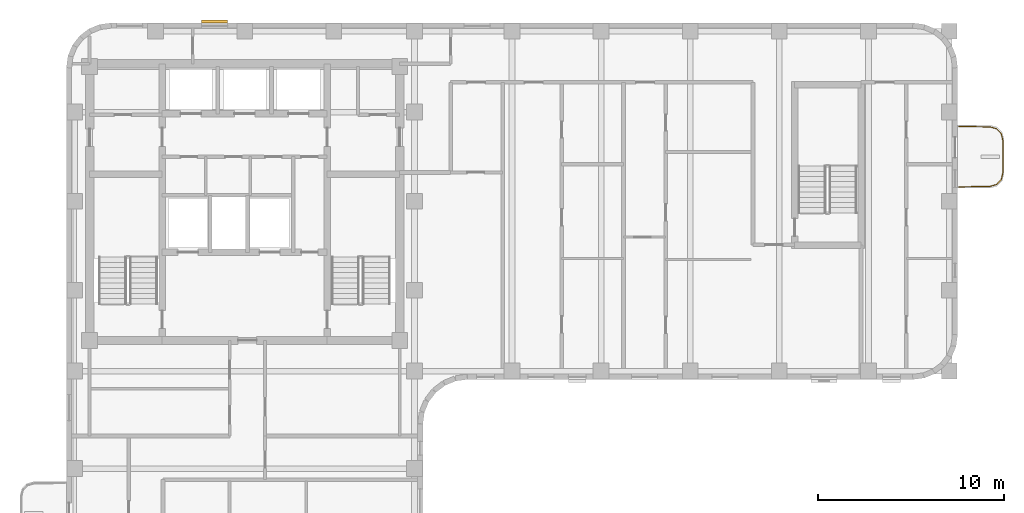
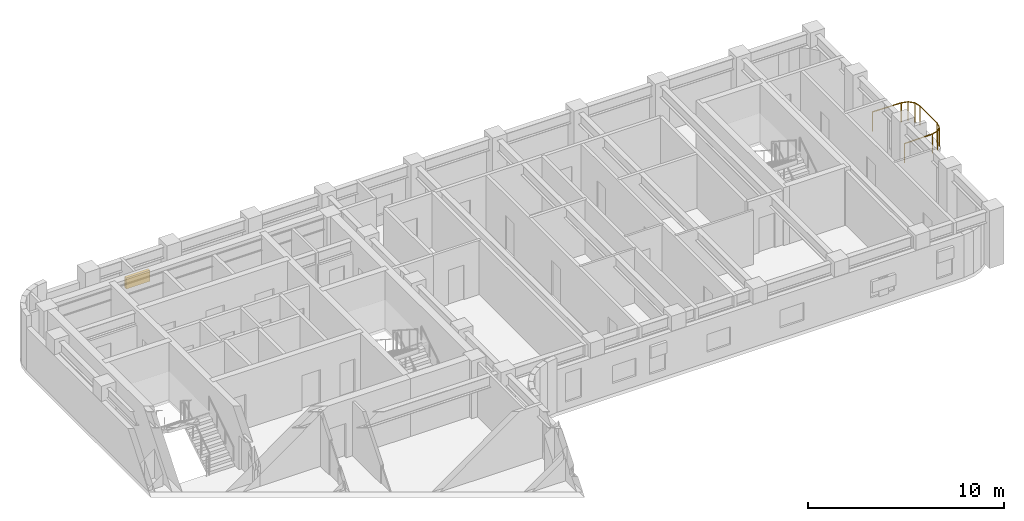
# One storey, part 10 of 10: 1 railing, 1 shading device.
"""IFC4 building model written with IfcOpenShell, lengths in metres."""

from ifc_helpers import new_model, si_unit, direction, frame, origin, origin_2d, place, context, subcontext, project, spatial, rectangle, extrude, material, type_object, element, save


model = new_model("IFC4")

# Units and contexts
model_context = context("Model", 3, precision=1e-05, world=origin(), true_north=direction((0.0, 1.0)))
body_context = subcontext(model_context, "Body", "Model", "MODEL_VIEW")
ifc_project = project(units=[si_unit("LENGTHUNIT", "METRE"), si_unit("AREAUNIT", "SQUARE_METRE"), si_unit("VOLUMEUNIT", "CUBIC_METRE"), si_unit("PLANEANGLEUNIT", "RADIAN"), si_unit("MASSUNIT", "GRAM", prefix="KILO")], contexts=[model_context])

# Site, building, storey
site_placement = place(None, origin())
site = spatial("IfcSite", under=ifc_project, at=site_placement, CompositionType="ELEMENT")
building_placement = place(site_placement, origin())
building = spatial("IfcBuilding", under=site, at=building_placement, Name="Orvandelia Arch Residences", CompositionType="ELEMENT")
storey_placement = place(building_placement, frame((0.0, 0.0, 207.39990234375)))
storey = spatial("IfcBuildingStorey", under=building, at=storey_placement, Name="L54", CompositionType="ELEMENT", Elevation=207.39990234375)

# Railing
ifc_material_1 = material(Name="Marine-Grade Stainless Steel 316", Category="steel")
railing_type = type_object("IfcRailingType", Name="GRD-BAL-1200", PredefinedType="BALUSTRADE", material=ifc_material_1)
railing_placement = place(storey_placement, frame((52.871826171875, 39.169677734375, 0.0)))
element("IfcRailing", 1, at=railing_placement, inside=storey, type_object=railing_type, Name="Safety Balustrade Guard GRD-L54-BAL-L54-E1-1", PredefinedType="BALUSTRADE", context=body_context, shape_type="SweptSolid", body=[
    extrude(rectangle(XDim=0.048095703125, YDim=0.048095703125, at=origin_2d()), frame((0.0, 0.0, 1.19580078125), z_axis=(0.999837384468, 0.018033430643, 0.0), x_axis=(-0.018033430643, 0.999837384468, 0.0)), (0.0, 0.0, 1.0), 1.6787109375),
    extrude(rectangle(XDim=0.048095703125, YDim=0.048095703125, at=origin_2d()), frame((1.678466796875, 0.0302734375, 1.19580078125), z_axis=(0.96348920644, 0.267747173792, 0.0), x_axis=(-0.267747173792, 0.96348920644, 0.0)), (0.0, 0.0, 1.0), 0.36572265625),
    extrude(rectangle(XDim=0.048095703125, YDim=0.048095703125, at=origin_2d()), frame((2.03076171875, 0.128173828125, 1.19580078125), z_axis=(0.687947031175, 0.725760898848, 0.0), x_axis=(-0.725760898848, 0.687947031175, 0.0)), (0.0, 0.0, 1.0), 0.367919921875),
    extrude(rectangle(XDim=0.048095703125, YDim=0.048095703125, at=origin_2d()), frame((2.283935546875, 0.395263671875, 1.19580078125), z_axis=(0.221225034864, 0.975222786828, 0.0), x_axis=(-0.975222786828, 0.221225034864, 0.0)), (0.0, 0.0, 1.0), 0.373046875),
    extrude(rectangle(XDim=0.048095703125, YDim=0.048095703125, at=origin_2d()), frame((2.366455078125, 0.759033203125, 1.19580078125), z_axis=(0.0, 1.0, 0.0), x_axis=(-1.0, 0.0, 0.0)), (0.0, 0.0, 1.0), 1.74267578125),
    extrude(rectangle(XDim=0.048095703125, YDim=0.048095703125, at=origin_2d()), frame((2.366455078125, 2.501708984375, 1.19580078125), z_axis=(-0.221225034864, 0.975222786828, 0.0), x_axis=(-0.975222786828, -0.221225034864, 0.0)), (0.0, 0.0, 1.0), 0.373046875),
    extrude(rectangle(XDim=0.048095703125, YDim=0.048095703125, at=origin_2d()), frame((2.283935546875, 2.865478515625, 1.19580078125), z_axis=(-0.688278345278, 0.725446703364, 0.0), x_axis=(-0.725446703364, -0.688278345278, 0.0)), (0.0, 0.0, 1.0), 0.367919921875),
    extrude(rectangle(XDim=0.048095703125, YDim=0.048095703125, at=origin_2d()), frame((2.03076171875, 3.13232421875, 1.19580078125), z_axis=(-0.96348920644, 0.267747173792, 0.0), x_axis=(-0.267747173792, -0.96348920644, 0.0)), (0.0, 0.0, 1.0), 0.36572265625),
    extrude(rectangle(XDim=0.048095703125, YDim=0.048095703125, at=origin_2d()), frame((1.678466796875, 3.230224609375, 1.19580078125), z_axis=(-0.999834751713, 0.018178813668, 0.0), x_axis=(-0.018178813668, -0.999834751713, 0.0)), (0.0, 0.0, 1.0), 1.6787109375),
    extrude(rectangle(XDim=0.0419921875, YDim=0.0419921875, at=origin_2d()), origin(), (0.0, 0.0, 1.0), 1.171875),
    extrude(rectangle(XDim=0.0419921875, YDim=0.0419921875, at=origin_2d()), frame((1.678466796875, 0.0302734375, 0.0)), (0.0, 0.0, 1.0), 1.171875),
    extrude(rectangle(XDim=0.0419921875, YDim=0.0419921875, at=origin_2d()), frame((2.03076171875, 0.128173828125, 0.0)), (0.0, 0.0, 1.0), 1.171875),
    extrude(rectangle(XDim=0.0419921875, YDim=0.0419921875, at=origin_2d()), frame((2.283935546875, 0.395263671875, 0.0)), (0.0, 0.0, 1.0), 1.171875),
    extrude(rectangle(XDim=0.0419921875, YDim=0.0419921875, at=origin_2d()), frame((2.366455078125, 0.759033203125, 0.0)), (0.0, 0.0, 1.0), 1.171875),
    extrude(rectangle(XDim=0.0419921875, YDim=0.0419921875, at=origin_2d()), frame((2.366455078125, 2.501708984375, 0.0)), (0.0, 0.0, 1.0), 1.171875),
    extrude(rectangle(XDim=0.0419921875, YDim=0.0419921875, at=origin_2d()), frame((2.283935546875, 2.865478515625, 0.0)), (0.0, 0.0, 1.0), 1.171875),
    extrude(rectangle(XDim=0.0419921875, YDim=0.0419921875, at=origin_2d()), frame((2.03076171875, 3.13232421875, 0.0)), (0.0, 0.0, 1.0), 1.171875),
    extrude(rectangle(XDim=0.0419921875, YDim=0.0419921875, at=origin_2d()), frame((1.678466796875, 3.230224609375, 0.0)), (0.0, 0.0, 1.0), 1.171875),
    extrude(rectangle(XDim=0.0419921875, YDim=0.0419921875, at=origin_2d()), frame((0.0, 3.2607421875, 0.0)), (0.0, 0.0, 1.0), 1.171875),
])

# Shading device
ifc_material_2 = material(Name="Anodised Champagne-Bronze Extruded Aluminium", Category="aluminium")
shading_device_type = type_object("IfcShadingDeviceType", Name="SHD-JALOUSIE-SCREEN", PredefinedType="JALOUSIE", material=ifc_material_2)
shading_device_placement = place(storey_placement, frame((12.777587890625, 48.080078125, 1.05029296875), z_axis=(0.0, 0.0, 1.0), x_axis=(1.0, 0.0, 0.0)))
element("IfcShadingDevice", 2, at=shading_device_placement, inside=storey, type_object=shading_device_type, Name="Bronze Jalousie Sun-Shade L54-001", PredefinedType="JALOUSIE", context=body_context, shape_type="SweptSolid", body=[
    extrude(rectangle(XDim=1.39990234375, YDim=0.159912109375, at=origin_2d()), origin(), (0.0, 0.0, 1.0), 0.699951171875),
])

save(model, "model.ifc")
